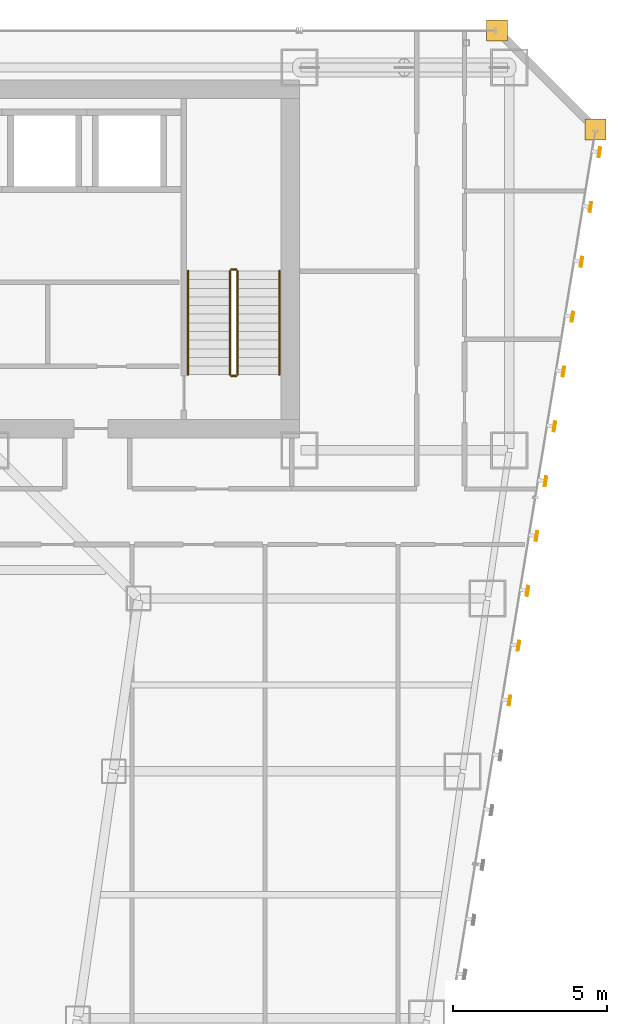
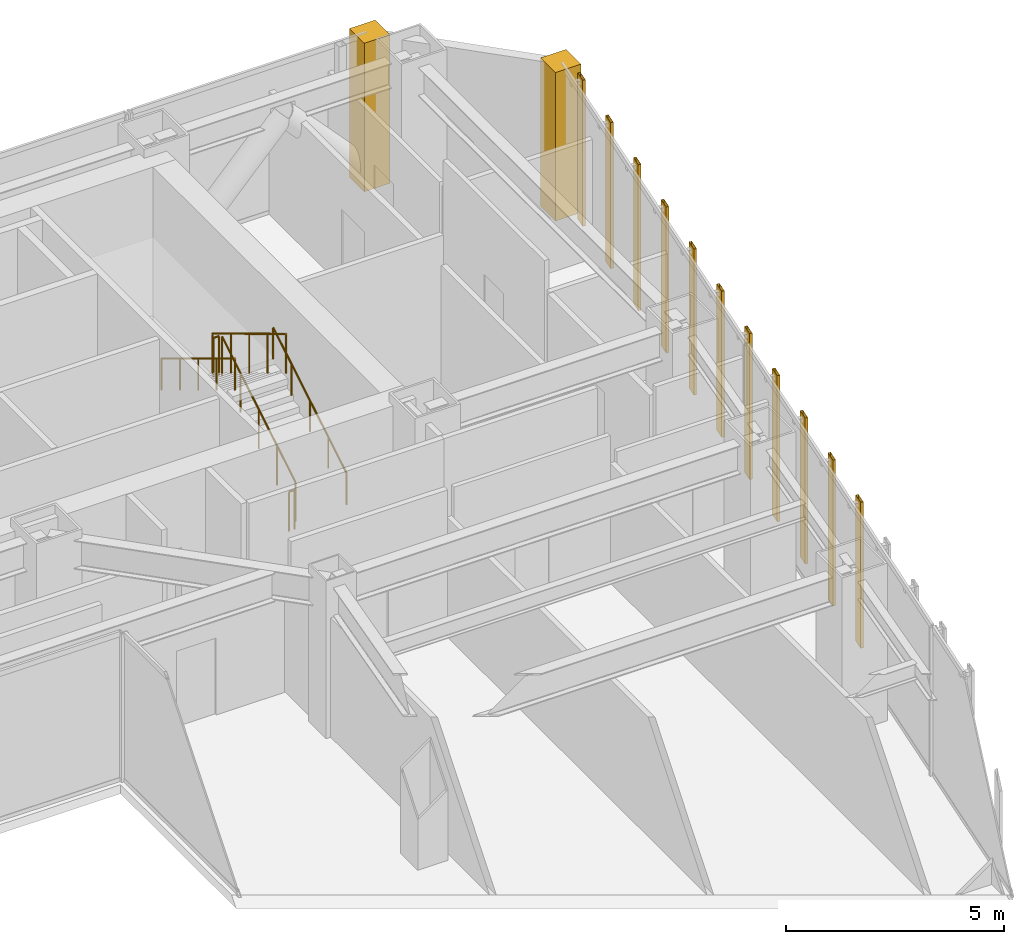
# One storey, part 47 of 47: 11 shading devices, 6 railings, 2 coverings.
"""IFC4 building model written with IfcOpenShell, lengths in metres."""

from ifc_helpers import new_model, si_unit, direction, frame, origin, origin_2d, place, context, subcontext, project, spatial, polyline, hollow_rectangle, circle, outline, extrude, material, layer, layer_set, material_profile, profile_set, type_object, element, save


model = new_model("IFC4")

# Units and contexts
model_context = context("Model", 3, precision=1e-05, world=origin(), true_north=direction((0.0, 1.0)))
body_context = subcontext(model_context, "Body", "Model", "MODEL_VIEW")
ifc_project = project(units=[si_unit("LENGTHUNIT", "METRE"), si_unit("AREAUNIT", "SQUARE_METRE"), si_unit("VOLUMEUNIT", "CUBIC_METRE"), si_unit("PLANEANGLEUNIT", "RADIAN"), si_unit("MASSUNIT", "GRAM", prefix="KILO")], contexts=[model_context])

# Site, building, storey
site_placement = place(None, origin())
site = spatial("IfcSite", under=ifc_project, at=site_placement, CompositionType="ELEMENT")
building_placement = place(site_placement, origin())
building = spatial("IfcBuilding", under=site, at=building_placement, Name="Saevonmaru Cultural Tower", CompositionType="ELEMENT")
storey_placement = place(building_placement, frame((0.0, 0.0, 56.0)))
storey = spatial("IfcBuildingStorey", under=building, at=storey_placement, Name="L11", CompositionType="ELEMENT", Elevation=56.0)

# Coverings
ifc_material_1 = material(Name="Satin Bronze Anodised Aluminium", Category="aluminium")
ifc_layer = layer(ifc_material_1, 0.679931640625, Name="Satin Bronze Anodised Aluminium")
ifc_layer_set = layer_set([ifc_layer], Name="Satin Bronze Anodised Aluminium")
covering_type = type_object("IfcCoveringType", Name="CV-CORNER-CLAD", PredefinedType="CLADDING", material=ifc_layer_set)
covering_1_placement = place(storey_placement, origin())
element("IfcCovering", 1, at=covering_1_placement, inside=storey, type_object=covering_type, Name="L11 Tower Bronze Corner Cladding Pier 9", PredefinedType="CLADDING", context=body_context, shape_type="SweptSolid", body=[
    extrude(outline(polyline([(55.659912109375, 52.4599609375), (56.340087890625, 52.4599609375), (56.340087890625, 53.139892578125), (55.659912109375, 53.139892578125), (55.659912109375, 52.4599609375)])), origin(), (0.0, 0.0, 1.0), 4.14990234375),
])
covering_2_placement = place(storey_placement, origin())
element("IfcCovering", 2, at=covering_2_placement, inside=storey, type_object=covering_type, Name="L11 Tower Bronze Corner Cladding Pier 10", PredefinedType="CLADDING", context=body_context, shape_type="SweptSolid", body=[
    extrude(outline(polyline([(52.4599609375, 55.659912109375), (53.139892578125, 55.659912109375), (53.139892578125, 56.340087890625), (52.4599609375, 56.340087890625), (52.4599609375, 55.659912109375)])), origin(), (0.0, 0.0, 1.0), 4.14990234375),
])

# Railings
ifc_material_2 = material(Name="Architectural Painted Steel", Category="steel")
railing_type_1 = type_object("IfcRailingType", Name="RL-STAIR-GUARD", PredefinedType="GUARDRAIL", material=ifc_material_2)
railing_1_placement = place(storey_placement, frame((44.39990234375, 44.85009765625, 0.169189453125)))
element("IfcRailing", 3, at=railing_1_placement, inside=storey, type_object=railing_type_1, Name="L11 ST-2 stair guard 1", PredefinedType="GUARDRAIL", context=body_context, shape_type="SweptSolid", body=[
    extrude(circle(Radius=0.02392578125, at=origin_2d()), frame((0.0, 0.0, 1.09619140625), z_axis=(0.0, 0.855820338506, 0.51727318527), x_axis=(-1.0, 0.0, 0.0)), (0.0, 0.0, 1.0), 3.92578125),
    extrude(circle(Radius=0.02099609375, at=origin_2d()), origin(), (0.0, 0.0, 1.0), 1.072021484375),
    extrude(circle(Radius=0.02099609375, at=origin_2d()), frame((0.0, 0.83984375, 0.5078125)), (0.0, 0.0, 1.0), 1.072021484375),
    extrude(circle(Radius=0.02099609375, at=origin_2d()), frame((0.0, 1.679931640625, 1.015380859375)), (0.0, 0.0, 1.0), 1.072021484375),
    extrude(circle(Radius=0.02099609375, at=origin_2d()), frame((0.0, 2.52001953125, 1.52294921875)), (0.0, 0.0, 1.0), 1.072021484375),
    extrude(circle(Radius=0.02099609375, at=origin_2d()), frame((0.0, 3.35986328125, 2.03076171875)), (0.0, 0.0, 1.0), 1.072021484375),
])
railing_2_placement = place(storey_placement, frame((44.35009765625, 48.260009765625, 2.199951171875)))
element("IfcRailing", 4, at=railing_2_placement, inside=storey, type_object=railing_type_1, Name="L11 ST-2 stair guard 2", PredefinedType="GUARDRAIL", context=body_context, shape_type="SweptSolid", body=[
    extrude(circle(Radius=0.02392578125, at=origin_2d()), frame((0.0, 0.0, 1.09619140625), z_axis=(-1.0, 0.0, 0.0), x_axis=(0.0, -1.0, 0.0)), (0.0, 0.0, 1.0), 0.150146484375),
    extrude(circle(Radius=0.02099609375, at=origin_2d()), origin(), (0.0, 0.0, 1.0), 1.072021484375),
    extrude(circle(Radius=0.02099609375, at=origin_2d()), frame((-0.150146484375, 0.0, 0.0)), (0.0, 0.0, 1.0), 1.072021484375),
])
railing_3_placement = place(storey_placement, frame((44.14990234375, 48.2099609375, 2.369140625)))
element("IfcRailing", 5, at=railing_3_placement, inside=storey, type_object=railing_type_1, Name="L11 ST-2 stair guard 3", PredefinedType="GUARDRAIL", context=body_context, shape_type="SweptSolid", body=[
    extrude(circle(Radius=0.02392578125, at=origin_2d()), frame((0.0, 0.0, 1.09619140625), z_axis=(0.0, -0.855820338506, 0.51727318527), x_axis=(1.0, 0.0, 0.0)), (0.0, 0.0, 1.0), 3.92578125),
    extrude(circle(Radius=0.02099609375, at=origin_2d()), origin(), (0.0, 0.0, 1.0), 1.072021484375),
    extrude(circle(Radius=0.02099609375, at=origin_2d()), frame((0.0, -0.83984375, 0.5078125)), (0.0, 0.0, 1.0), 1.072021484375),
    extrude(circle(Radius=0.02099609375, at=origin_2d()), frame((0.0, -1.679931640625, 1.015380859375)), (0.0, 0.0, 1.0), 1.072021484375),
    extrude(circle(Radius=0.02099609375, at=origin_2d()), frame((0.0, -2.52001953125, 1.52294921875)), (0.0, 0.0, 1.0), 1.072021484375),
    extrude(circle(Radius=0.02099609375, at=origin_2d()), frame((0.0, -3.35986328125, 2.03076171875)), (0.0, 0.0, 1.0), 1.072021484375),
])
railing_4_placement = place(storey_placement, frame((44.35009765625, 44.800048828125, 0.0)))
element("IfcRailing", 6, at=railing_4_placement, inside=storey, type_object=railing_type_1, Name="L11 ST-2 stair guard 4", PredefinedType="GUARDRAIL", context=body_context, shape_type="SweptSolid", body=[
    extrude(circle(Radius=0.02392578125, at=origin_2d()), frame((0.0, 0.0, 1.09619140625), z_axis=(-1.0, 0.0, 0.0), x_axis=(0.0, -1.0, 0.0)), (0.0, 0.0, 1.0), 0.150146484375),
    extrude(circle(Radius=0.02099609375, at=origin_2d()), origin(), (0.0, 0.0, 1.0), 1.072021484375),
    extrude(circle(Radius=0.02099609375, at=origin_2d()), frame((-0.150146484375, 0.0, 0.0)), (0.0, 0.0, 1.0), 1.072021484375),
])
railing_type_2 = type_object("IfcRailingType", Name="RL-STAIR-HANDRAIL", PredefinedType="HANDRAIL", material=ifc_material_1)
railing_5_placement = place(storey_placement, frame((45.75, 44.85009765625, 0.169189453125)))
element("IfcRailing", 7, at=railing_5_placement, inside=storey, type_object=railing_type_2, Name="L11 ST-2 stair handrail 1", PredefinedType="HANDRAIL", context=body_context, shape_type="SweptSolid", body=[
    extrude(circle(Radius=0.02392578125, at=origin_2d()), frame((0.0, 0.0, 0.8759765625), z_axis=(0.0, 0.855820338506, 0.51727318527), x_axis=(-1.0, 0.0, 0.0)), (0.0, 0.0, 1.0), 3.92578125),
    extrude(circle(Radius=0.02099609375, at=origin_2d()), origin(), (0.0, 0.0, 1.0), 0.851806640625),
    extrude(circle(Radius=0.02099609375, at=origin_2d()), frame((0.0, 0.83984375, 0.5078125)), (0.0, 0.0, 1.0), 0.851806640625),
    extrude(circle(Radius=0.02099609375, at=origin_2d()), frame((0.0, 1.679931640625, 1.015380859375)), (0.0, 0.0, 1.0), 0.851806640625),
    extrude(circle(Radius=0.02099609375, at=origin_2d()), frame((0.0, 2.52001953125, 1.52294921875)), (0.0, 0.0, 1.0), 0.851806640625),
    extrude(circle(Radius=0.02099609375, at=origin_2d()), frame((0.0, 3.35986328125, 2.03076171875)), (0.0, 0.0, 1.0), 0.851806640625),
])
railing_6_placement = place(storey_placement, frame((42.800048828125, 48.2099609375, 2.369140625)))
element("IfcRailing", 8, at=railing_6_placement, inside=storey, type_object=railing_type_2, Name="L11 ST-2 stair handrail 2", PredefinedType="HANDRAIL", context=body_context, shape_type="SweptSolid", body=[
    extrude(circle(Radius=0.02392578125, at=origin_2d()), frame((0.0, 0.0, 0.8759765625), z_axis=(0.0, -0.855820338506, 0.51727318527), x_axis=(1.0, 0.0, 0.0)), (0.0, 0.0, 1.0), 3.92578125),
    extrude(circle(Radius=0.02099609375, at=origin_2d()), origin(), (0.0, 0.0, 1.0), 0.851806640625),
    extrude(circle(Radius=0.02099609375, at=origin_2d()), frame((0.0, -0.83984375, 0.5078125)), (0.0, 0.0, 1.0), 0.851806640625),
    extrude(circle(Radius=0.02099609375, at=origin_2d()), frame((0.0, -1.679931640625, 1.015380859375)), (0.0, 0.0, 1.0), 0.851806640625),
    extrude(circle(Radius=0.02099609375, at=origin_2d()), frame((0.0, -2.52001953125, 1.52294921875)), (0.0, 0.0, 1.0), 0.851806640625),
    extrude(circle(Radius=0.02099609375, at=origin_2d()), frame((0.0, -3.35986328125, 2.03076171875)), (0.0, 0.0, 1.0), 0.851806640625),
])

# Shading devices
ifc_material_profile = material_profile(ifc_material_1, hollow_rectangle(XDim=0.070068359375, YDim=0.320068359375, WallThickness=0.0048828125, at=origin_2d()), Name="FIN-320x70")
ifc_profile_set = profile_set([ifc_material_profile], Name="Satin Bronze Anodised Aluminium")
shading_device_type = type_object("IfcShadingDeviceType", Name="SHD-FIN-320", PredefinedType="JALOUSIE", material=ifc_profile_set)
for number, where, z_axis, x_axis, name in (
    (9, (53.210205078125, 34.2900390625, 0.050048828125), (0.0, 0.0, 1.0), (0.986827496189, -0.161776057456, 0.0), "L11 Art Deco Sawtooth Bronze Fin E8-17"),
    (10, (53.501220703125, 36.06640625, 0.050048828125), (0.0, 0.0, 1.0), (0.986827496189, -0.161776057456, 0.0), "L11 Art Deco Sawtooth Bronze Fin E8-18"),
    (11, (53.792236328125, 37.8427734375, 0.050048828125), (0.0, 0.0, 1.0), (0.986827496189, -0.161776057456, 0.0), "L11 Art Deco Sawtooth Bronze Fin E8-19"),
    (12, (54.083251953125, 39.618896484375, 0.050048828125), (0.0, 0.0, 1.0), (0.986827496189, -0.161776057456, 0.0), "L11 Art Deco Sawtooth Bronze Fin E8-20"),
    (13, (54.37451171875, 41.3955078125, 0.050048828125), (0.0, 0.0, 1.0), (0.986827496189, -0.161776057456, 0.0), "L11 Art Deco Sawtooth Bronze Fin E8-21"),
    (14, (54.665283203125, 43.171630859375, 0.050048828125), (0.0, 0.0, 1.0), (0.986827496189, -0.161776057456, 0.0), "L11 Art Deco Sawtooth Bronze Fin E8-22"),
    (15, (54.95654296875, 44.947998046875, 0.050048828125), (0.0, 0.0, 1.0), (0.986827496189, -0.161776057456, 0.0), "L11 Art Deco Sawtooth Bronze Fin E8-23"),
    (16, (55.24755859375, 46.724365234375, 0.050048828125), (0.0, 0.0, 1.0), (0.986827496189, -0.161776057456, 0.0), "L11 Art Deco Sawtooth Bronze Fin E8-24"),
    (17, (55.538818359375, 48.50048828125, 0.050048828125), (0.0, 0.0, 1.0), (0.986827496189, -0.161776057456, 0.0), "L11 Art Deco Sawtooth Bronze Fin E8-25"),
    (18, (55.829833984375, 50.27685546875, 0.050048828125), (0.0, 0.0, 1.0), (0.986827496189, -0.161776057456, 0.0), "L11 Art Deco Sawtooth Bronze Fin E8-26"),
    (19, (56.120849609375, 52.05322265625, 0.050048828125), (0.0, 0.0, 1.0), (0.986827496189, -0.161776057456, 0.0), "L11 Art Deco Sawtooth Bronze Fin E8-27"),
):
    element("IfcShadingDevice", number, at=place(storey_placement, frame(where, z_axis=z_axis, x_axis=x_axis)), inside=storey, type_object=shading_device_type, Name=name, PredefinedType="JALOUSIE", context=body_context, shape_type="SweptSolid", body=[
        extrude(hollow_rectangle(XDim=0.070068359375, YDim=0.320068359375, WallThickness=0.0048828125, at=origin_2d()), origin(), (0.0, 0.0, 1.0), 4.079833984375),
    ])

save(model, "model.ifc")
